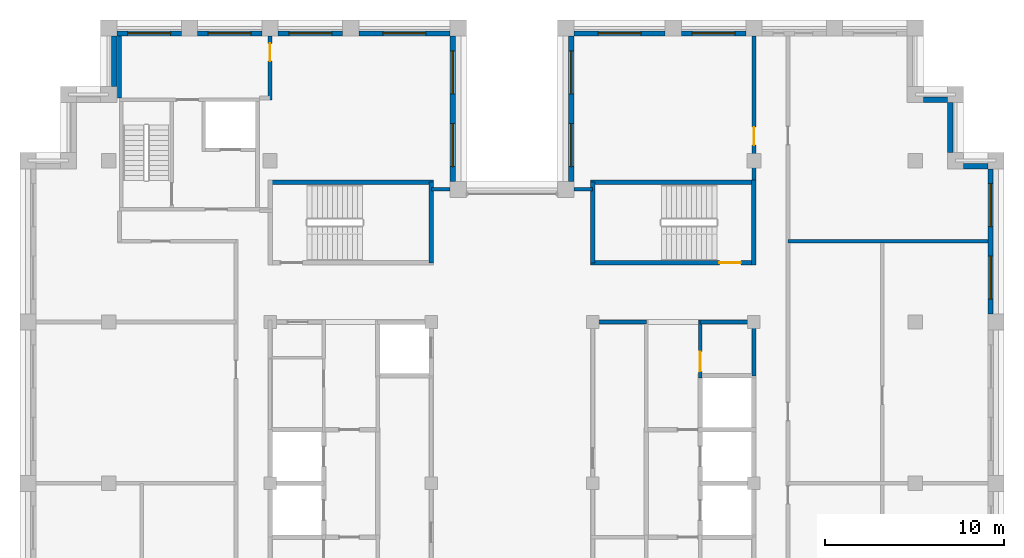
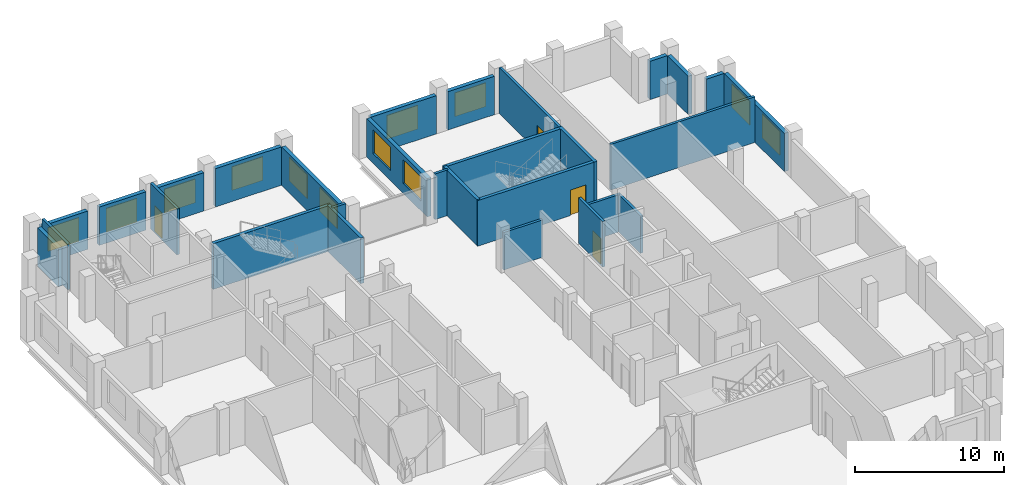
# One storey, part 10 of 13: 29 walls, 12 windows, 4 doors, 16 openings.
"""IFC4 building model written with IfcOpenShell, lengths in metres."""

import ifcopenshell
import ifcopenshell.guid

model = None  # the IFC model being written
_history = None  # IfcOwnerHistory: only IFC2X3 demands one
_inside = {}  # id of a spatial element -> (the spatial element, [elements in it])
_under = {}  # id of a project, library or spatial element -> (it, [spatial elements below it])
_declared = {}  # id of a project -> (the project, [libraries it declares])
_typed = {}  # id of a type object -> (the type object, [elements of that type])
_made_of = {}  # id of a material, layer set ... -> (it, [elements and type objects made of it])


def new_model(schema):
    """Start an empty IFC model of exactly this schema.

    Asked for "IFC4X3", IfcOpenShell would pick the latest addendum, in which some entities
    have other attributes; the version numbers below select the first issue.
    IFC2X3 requires an IfcOwnerHistory on every rooted entity: one is made here for all.
    """
    global model, _history
    if schema == "IFC4X3":
        model = ifcopenshell.file(schema_version=(4, 3, 0, 0))
    else:
        model = ifcopenshell.file(schema=schema)
    _inside.clear()
    _under.clear()
    _declared.clear()
    _typed.clear()
    _made_of.clear()
    _history = None
    if model.schema == "IFC2X3":
        org = make("IfcOrganization", Name="unknown")
        user = make(
            "IfcPersonAndOrganization",
            ThePerson=make("IfcPerson", FamilyName="unknown"),
            TheOrganization=org,
        )
        app = make(
            "IfcApplication",
            ApplicationDeveloper=org,
            Version="unknown",
            ApplicationFullName="unknown",
            ApplicationIdentifier="unknown",
        )
        _history = make(
            "IfcOwnerHistory",
            OwningUser=user,
            OwningApplication=app,
            ChangeAction="ADDED",
            CreationDate=0,
        )
    return model


def make(cls, **values):
    """One entity of the class cls with the attributes given. An attribute that is None is left unset."""
    return model.create_entity(
        cls, **{name: value for name, value in values.items() if value is not None}
    )


def rooted(cls, **values):
    """An entity with a GlobalId (a new one), such as an element, a storey or a relation."""
    return make(cls, GlobalId=ifcopenshell.guid.new(), OwnerHistory=_history, **values)


def si_unit(unit_type, name, prefix=None):
    """IfcSIUnit, for example si_unit("LENGTHUNIT", "METRE", prefix="MILLI")."""
    return make("IfcSIUnit", UnitType=unit_type, Prefix=prefix, Name=name)


def assignment(units):
    """IfcUnitAssignment: the units of a project."""
    return None if units is None else make("IfcUnitAssignment", Units=units)


def point(xyz):
    """IfcCartesianPoint."""
    return None if xyz is None else make("IfcCartesianPoint", Coordinates=xyz)


def direction(xyz):
    """IfcDirection."""
    return None if xyz is None else make("IfcDirection", DirectionRatios=xyz)


def frame(location, z_axis=None, x_axis=None):
    """IfcAxis2Placement3D, a coordinate frame: its origin and axes. An axis left out is left unset."""
    return make(
        "IfcAxis2Placement3D",
        Location=point(location),
        Axis=direction(z_axis),
        RefDirection=direction(x_axis),
    )


def frame_2d(location, x_axis=None):
    """IfcAxis2Placement2D, a coordinate frame in the plane: its origin and x axis."""
    return make(
        "IfcAxis2Placement2D", Location=point(location), RefDirection=direction(x_axis)
    )


def origin():
    """The frame at (0, 0, 0) with its axes left unset."""
    return frame((0.0, 0.0, 0.0))


def place(relative_to, where):
    """IfcLocalPlacement: puts the frame where relative to a parent placement (None: the world)."""
    return make(
        "IfcLocalPlacement", PlacementRelTo=relative_to, RelativePlacement=where
    )


def context(
    kind, dimensions, precision=None, world=None, true_north=None, identifier=None
):
    """IfcGeometricRepresentationContext, for example the 3D "Model" context."""
    return make(
        "IfcGeometricRepresentationContext",
        ContextIdentifier=identifier,
        ContextType=kind,
        CoordinateSpaceDimension=dimensions,
        Precision=precision,
        WorldCoordinateSystem=world,
        TrueNorth=true_north,
    )


def subcontext(parent, identifier, kind, view, scale=None):
    """IfcGeometricRepresentationSubContext, for example "Body" below "Model"."""
    return make(
        "IfcGeometricRepresentationSubContext",
        ContextIdentifier=identifier,
        ContextType=kind,
        ParentContext=parent,
        TargetScale=scale,
        TargetView=view,
    )


def project(units=None, contexts=None):
    """IfcProject with its units and contexts."""
    return rooted(
        "IfcProject",
        Name="project",
        RepresentationContexts=contexts,
        UnitsInContext=assignment(units),
    )


def spatial(cls, under=None, at=None, **own):
    """A site, building, storey or space (cls), placed at a placement, below another one or the project."""
    s = rooted(cls, ObjectPlacement=at, **own)
    if under is not None:
        _under.setdefault(under.id(), (under, []))[1].append(s)
    return s


def profile(cls, at=None, kind="AREA", **sizes):
    """A parametric profile (cls). Its sizes go by their IFC names, for example OverallWidth=200.0."""
    return make(cls, ProfileType=kind, Position=at, **sizes)


def rectangle(**sizes):
    """IfcRectangleProfileDef."""
    return profile("IfcRectangleProfileDef", **sizes)


def extrude(swept, where, along, depth):
    """IfcExtrudedAreaSolid: the profile swept, set in the frame where, extruded along a direction by depth."""
    return make(
        "IfcExtrudedAreaSolid",
        SweptArea=swept,
        Position=where,
        ExtrudedDirection=direction(along),
        Depth=depth,
    )


def shape(context_of_items, identifier, shape_type, items):
    """IfcShapeRepresentation: the items that make up one representation, for example the "Body"."""
    return make(
        "IfcShapeRepresentation",
        ContextOfItems=context_of_items,
        RepresentationIdentifier=identifier,
        RepresentationType=shape_type,
        Items=items,
    )


def material(Name=None, Category=None):
    """IfcMaterial."""
    return make("IfcMaterial", Name=Name, Category=Category)


def layer(
    of_material, thickness, ventilated=None, Name=None, Category=None, Priority=None
):
    """IfcMaterialLayer: one layer of a wall or slab, of a material (None: an air gap)."""
    return make(
        "IfcMaterialLayer",
        Material=of_material,
        LayerThickness=thickness,
        IsVentilated=ventilated,
        Name=Name,
        Category=Category,
        Priority=Priority,
    )


def layer_set(layers, Name=None):
    """IfcMaterialLayerSet."""
    return make("IfcMaterialLayerSet", MaterialLayers=layers, LayerSetName=Name)


def made_of(thing, what):
    """Note that an element or type object is made of a material, layer set ...; save() writes the relation."""
    if what is not None:
        _made_of.setdefault(what.id(), (what, []))[1].append(thing)
    return thing


def type_object(cls, material=None, **own):
    """A type object (cls), such as IfcWallType, which elements share."""
    return made_of(rooted(cls, **own), material)


def element(
    cls,
    number,
    at=None,
    inside=None,
    cuts=None,
    type_object=None,
    material=None,
    context=None,
    identifier="Body",
    shape_type=None,
    held_by="IfcProductDefinitionShape",
    body=None,
    shapes=None,
    **own,
):
    """One element of the class cls, such as IfcWall. Its Tag is "e" and its number.

    at: its placement. inside: the storey or other place that contains it. cuts: it is an
    opening in that element (IfcRelVoidsElement). A single representation is given by context,
    identifier, shape_type and body (its items); several are given by shapes. held_by: the class
    of the entity that holds the representations. save() writes the other relations.
    """
    e = rooted(cls, Tag="e%d" % number, ObjectPlacement=at, **own)
    if body is not None:
        shapes = [shape(context, identifier, shape_type, body)]
    if shapes is not None:
        e.Representation = make(held_by, Representations=shapes)
    if inside is not None:
        _inside.setdefault(inside.id(), (inside, []))[1].append(e)
    if cuts is not None:
        rooted(
            "IfcRelVoidsElement", RelatingBuildingElement=cuts, RelatedOpeningElement=e
        )
    if type_object is not None:
        _typed.setdefault(type_object.id(), (type_object, []))[1].append(e)
    return made_of(e, material)


def fill(opening, filler):
    """IfcRelFillsElement: the door or window that sits in an opening."""
    return rooted(
        "IfcRelFillsElement",
        RelatingOpeningElement=opening,
        RelatedBuildingElement=filler,
    )


def aggregate(whole, parts):
    """IfcRelAggregates: a whole, such as a stair, and the parts it consists of."""
    return rooted("IfcRelAggregates", RelatingObject=whole, RelatedObjects=parts)


def save(model, path):
    """Write the relations noted so far, then the file.

    IfcRelAggregates (storeys below a building ...), IfcRelContainedInSpatialStructure (elements
    in a storey), IfcRelDefinesByType, IfcRelAssociatesMaterial and IfcRelDeclares: one each for
    every whole, place, type object, material and project.
    """
    for whole, parts in _under.values():
        aggregate(whole, parts)
    for where, things in _inside.values():
        rooted(
            "IfcRelContainedInSpatialStructure",
            RelatedElements=things,
            RelatingStructure=where,
        )
    for kind, things in _typed.values():
        rooted("IfcRelDefinesByType", RelatedObjects=things, RelatingType=kind)
    for what, things in _made_of.values():
        rooted("IfcRelAssociatesMaterial", RelatedObjects=things, RelatingMaterial=what)
    for by, libraries in _declared.values():
        rooted("IfcRelDeclares", RelatingContext=by, RelatedDefinitions=libraries)
    model.write(path)


model = new_model("IFC4")

# Units and contexts
model_context = context("Model", 3, precision=1e-05, world=origin(), true_north=direction((0.0, 1.0)))
body_context = subcontext(model_context, "Body", "Model", "MODEL_VIEW")
ifc_project = project(units=[si_unit("LENGTHUNIT", "METRE"), si_unit("AREAUNIT", "SQUARE_METRE"), si_unit("VOLUMEUNIT", "CUBIC_METRE"), si_unit("PLANEANGLEUNIT", "RADIAN"), si_unit("MASSUNIT", "GRAM", prefix="KILO")], contexts=[model_context])

# Site, building, storey
site_placement = place(None, origin())
site = spatial("IfcSite", under=ifc_project, at=site_placement, CompositionType="ELEMENT")
building_placement = place(site_placement, origin())
building = spatial("IfcBuilding", under=site, at=building_placement, Name="Corbelhall Arena Tower", CompositionType="ELEMENT")
storey_placement = place(building_placement, frame((0.0, 0.0, 330.0)))
storey = spatial("IfcBuildingStorey", under=building, at=storey_placement, Name="L72", CompositionType="ELEMENT", Elevation=330.0)

# Wall, openings, windows
ifc_material_1 = material(Name="Precast concrete C40/50 with granite facing", Category="masonry")
ifc_layer_1 = layer(ifc_material_1, 0.300048828125)
ifc_layer_set_1 = layer_set([ifc_layer_1], Name="EV-IW1 Infill panel 300")
wall_type_1 = type_object("IfcWallType", Name="EV-IW1 Infill panel 300", PredefinedType="SOLIDWALL", material=ifc_layer_set_1)
wall_1_placement = place(storey_placement, frame((26.699951171875, 9.449951171875, 0.0), z_axis=(0.0, 0.0, 1.0), x_axis=(0.0, 1.0, 0.0)))
wall_1 = element("IfcWall", 1, at=wall_1_placement, inside=storey, type_object=wall_type_1, Name="Infill panel IW1", PredefinedType="SOLIDWALL", context=body_context, shape_type="SweptSolid", body=[
    extrude(rectangle(XDim=8.10009765625, YDim=0.300048828125, at=frame_2d((4.050048828125, 0.0))), origin(), (0.0, 0.0, 1.0), 3.139892578125),
])
opening_1_placement = place(wall_1_placement, frame((0.824951171875, 0.0, 0.800048828125)))
opening_1 = element("IfcOpeningElement", 2, at=opening_1_placement, cuts=wall_1, Name="Opening WN1", PredefinedType="OPENING", context=body_context, shape_type="SweptSolid", body=[
    extrude(rectangle(XDim=2.39990234375, YDim=1.949951171875, at=frame_2d((1.199951171875, 0.97509765625))), frame((0.0, 0.14990234375, 0.0), z_axis=(0.0, -1.0, 0.0), x_axis=(1.0, 0.0, 0.0)), (0.0, 0.0, 1.0), 0.300048828125),
])
opening_2_placement = place(wall_1_placement, frame((4.875, 0.0, 0.800048828125)))
opening_2 = element("IfcOpeningElement", 3, at=opening_2_placement, cuts=wall_1, Name="Opening WN1", PredefinedType="OPENING", context=body_context, shape_type="SweptSolid", body=[
    extrude(rectangle(XDim=2.39990234375, YDim=1.949951171875, at=frame_2d((1.199951171875, 0.97509765625))), frame((0.0, 0.14990234375, 0.0), z_axis=(0.0, -1.0, 0.0), x_axis=(1.0, 0.0, 0.0)), (0.0, 0.0, 1.0), 0.300048828125),
])
ifc_material_2 = material(Name="Aluminium black anodised", Category="aluminium")
window_type = type_object("IfcWindowType", Name="EV-WN1 Office window", PartitioningType="SINGLE_PANEL", PredefinedType="WINDOW", material=ifc_material_2)
window_1_placement = place(opening_1_placement, origin())
window_1 = element("IfcWindow", 4, at=window_1_placement, inside=storey, type_object=window_type, Name="Window WN1", OverallHeight=1.949951171875, OverallWidth=2.39990234375, PartitioningType="SINGLE_PANEL", PredefinedType="WINDOW", context=body_context, shape_type="SweptSolid", body=[
    extrude(rectangle(XDim=2.39990234375, YDim=1.949951171875, at=frame_2d((1.199951171875, 0.97509765625))), frame((0.0, 0.030029296875, 0.0), z_axis=(0.0, -1.0, 0.0), x_axis=(1.0, 0.0, 0.0)), (0.0, 0.0, 1.0), 0.06005859375),
])
fill(opening_1, window_1)
window_2_placement = place(opening_2_placement, origin())
window_2 = element("IfcWindow", 5, at=window_2_placement, inside=storey, type_object=window_type, Name="Window WN1", OverallHeight=1.949951171875, OverallWidth=2.39990234375, PartitioningType="SINGLE_PANEL", PredefinedType="WINDOW", context=body_context, shape_type="SweptSolid", body=[
    extrude(rectangle(XDim=2.39990234375, YDim=1.949951171875, at=frame_2d((1.199951171875, 0.97509765625))), frame((0.0, 0.030029296875, 0.0), z_axis=(0.0, -1.0, 0.0), x_axis=(1.0, 0.0, 0.0)), (0.0, 0.0, 1.0), 0.06005859375),
])
fill(opening_2, window_2)

# Walls
wall_2_placement = place(storey_placement, frame((26.550048828125, 17.699951171875, 0.0), z_axis=(0.0, 0.0, 1.0), x_axis=(-1.0, 0.0, 0.0)))
element("IfcWall", 6, at=wall_2_placement, inside=storey, type_object=wall_type_1, Name="Infill panel IW1", PredefinedType="SOLIDWALL", context=body_context, shape_type="SweptSolid", body=[
    extrude(rectangle(XDim=1.35009765625, YDim=0.300048828125, at=frame_2d((0.675048828125, 0.0))), origin(), (0.0, 0.0, 1.0), 3.139892578125),
])
wall_3_placement = place(storey_placement, frame((24.449951171875, 18.449951171875, 0.0), z_axis=(0.0, 0.0, 1.0), x_axis=(0.0, 1.0, 0.0)))
element("IfcWall", 7, at=wall_3_placement, inside=storey, type_object=wall_type_1, Name="Infill panel IW1", PredefinedType="SOLIDWALL", context=body_context, shape_type="SweptSolid", body=[
    extrude(rectangle(XDim=2.800048828125, YDim=0.300048828125, at=frame_2d((1.39990234375, 0.0))), origin(), (0.0, 0.0, 1.0), 3.139892578125),
])
wall_4_placement = place(storey_placement, frame((24.300048828125, 21.39990234375, 0.0), z_axis=(0.0, 0.0, 1.0), x_axis=(-1.0, 0.0, 0.0)))
element("IfcWall", 8, at=wall_4_placement, inside=storey, type_object=wall_type_1, Name="Infill panel IW1", PredefinedType="SOLIDWALL", context=body_context, shape_type="SweptSolid", body=[
    extrude(rectangle(XDim=1.35009765625, YDim=0.300048828125, at=frame_2d((0.675048828125, 0.0))), origin(), (0.0, 0.0, 1.0), 3.139892578125),
])

# Wall, opening, window
wall_5_placement = place(storey_placement, frame((13.050048828125, 25.10009765625, 0.0), z_axis=(0.0, 0.0, 1.0), x_axis=(-1.0, 0.0, 0.0)))
wall_5 = element("IfcWall", 9, at=wall_5_placement, inside=storey, type_object=wall_type_1, Name="Infill panel IW1", PredefinedType="SOLIDWALL", context=body_context, shape_type="SweptSolid", body=[
    extrude(rectangle(XDim=3.60009765625, YDim=0.300048828125, at=frame_2d((1.800048828125, 0.0))), origin(), (0.0, 0.0, 1.0), 3.139892578125),
])
opening_3_placement = place(wall_5_placement, frame((0.60009765625, 0.0, 0.800048828125)))
opening_3 = element("IfcOpeningElement", 10, at=opening_3_placement, cuts=wall_5, Name="Opening WN1", PredefinedType="OPENING", context=body_context, shape_type="SweptSolid", body=[
    extrude(rectangle(XDim=2.39990234375, YDim=1.949951171875, at=frame_2d((1.199951171875, 0.97509765625))), frame((0.0, 0.14990234375, 0.0), z_axis=(0.0, -1.0, 0.0), x_axis=(1.0, 0.0, 0.0)), (0.0, 0.0, 1.0), 0.300048828125),
])
window_3_placement = place(opening_3_placement, origin())
window_3 = element("IfcWindow", 11, at=window_3_placement, inside=storey, type_object=window_type, Name="Window WN1", OverallHeight=1.949951171875, OverallWidth=2.39990234375, PartitioningType="SINGLE_PANEL", PredefinedType="WINDOW", context=body_context, shape_type="SweptSolid", body=[
    extrude(rectangle(XDim=2.39990234375, YDim=1.949951171875, at=frame_2d((1.199951171875, 0.97509765625))), frame((0.0, 0.030029296875, 0.0), z_axis=(0.0, -1.0, 0.0), x_axis=(1.0, 0.0, 0.0)), (0.0, 0.0, 1.0), 0.06005859375),
])
fill(opening_3, window_3)

wall_6_placement = place(storey_placement, frame((8.550048828125, 25.10009765625, 0.0), z_axis=(0.0, 0.0, 1.0), x_axis=(-1.0, 0.0, 0.0)))
wall_6 = element("IfcWall", 12, at=wall_6_placement, inside=storey, type_object=wall_type_1, Name="Infill panel IW1", PredefinedType="SOLIDWALL", context=body_context, shape_type="SweptSolid", body=[
    extrude(rectangle(XDim=5.10009765625, YDim=0.300048828125, at=frame_2d((2.550048828125, 0.0))), origin(), (0.0, 0.0, 1.0), 3.139892578125),
])
opening_4_placement = place(wall_6_placement, frame((1.35009765625, 0.0, 0.800048828125)))
opening_4 = element("IfcOpeningElement", 13, at=opening_4_placement, cuts=wall_6, Name="Opening WN1", PredefinedType="OPENING", context=body_context, shape_type="SweptSolid", body=[
    extrude(rectangle(XDim=2.39990234375, YDim=1.949951171875, at=frame_2d((1.199951171875, 0.97509765625))), frame((0.0, 0.14990234375, 0.0), z_axis=(0.0, -1.0, 0.0), x_axis=(1.0, 0.0, 0.0)), (0.0, 0.0, 1.0), 0.300048828125),
])
window_4_placement = place(opening_4_placement, origin())
window_4 = element("IfcWindow", 14, at=window_4_placement, inside=storey, type_object=window_type, Name="Window WN1", OverallHeight=1.949951171875, OverallWidth=2.39990234375, PartitioningType="SINGLE_PANEL", PredefinedType="WINDOW", context=body_context, shape_type="SweptSolid", body=[
    extrude(rectangle(XDim=2.39990234375, YDim=1.949951171875, at=frame_2d((1.199951171875, 0.97509765625))), frame((0.0, 0.030029296875, 0.0), z_axis=(0.0, -1.0, 0.0), x_axis=(1.0, 0.0, 0.0)), (0.0, 0.0, 1.0), 0.06005859375),
])
fill(opening_4, window_4)

# Wall, openings, windows
wall_7_placement = place(storey_placement, frame((3.300048828125, 24.949951171875, 0.0), z_axis=(0.0, 0.0, 1.0), x_axis=(0.0, -1.0, 0.0)))
wall_7 = element("IfcWall", 15, at=wall_7_placement, inside=storey, type_object=wall_type_1, Name="Infill panel IW1", PredefinedType="SOLIDWALL", context=body_context, shape_type="SweptSolid", body=[
    extrude(rectangle(XDim=8.099853515625, YDim=0.300048828125, at=frame_2d((4.0498046875, 0.0))), origin(), (0.0, 0.0, 1.0), 3.139892578125),
])
opening_5_placement = place(wall_7_placement, frame((0.824951171875, 0.0, 0.800048828125)))
opening_5 = element("IfcOpeningElement", 16, at=opening_5_placement, cuts=wall_7, Name="Opening WN1", PredefinedType="OPENING", context=body_context, shape_type="SweptSolid", body=[
    extrude(rectangle(XDim=2.39990234375, YDim=1.949951171875, at=frame_2d((1.199951171875, 0.97509765625))), frame((0.0, 0.14990234375, 0.0), z_axis=(0.0, -1.0, 0.0), x_axis=(1.0, 0.0, 0.0)), (0.0, 0.0, 1.0), 0.300048828125),
])
opening_6_placement = place(wall_7_placement, frame((4.875, 0.0, 0.800048828125)))
opening_6 = element("IfcOpeningElement", 17, at=opening_6_placement, cuts=wall_7, Name="Opening WN1", PredefinedType="OPENING", context=body_context, shape_type="SweptSolid", body=[
    extrude(rectangle(XDim=2.39990234375, YDim=1.949951171875, at=frame_2d((1.199951171875, 0.97509765625))), frame((0.0, 0.14990234375, 0.0), z_axis=(0.0, -1.0, 0.0), x_axis=(1.0, 0.0, 0.0)), (0.0, 0.0, 1.0), 0.300048828125),
])
window_5_placement = place(opening_5_placement, origin())
window_5 = element("IfcWindow", 18, at=window_5_placement, inside=storey, type_object=window_type, Name="Window WN1", OverallHeight=1.949951171875, OverallWidth=2.39990234375, PartitioningType="SINGLE_PANEL", PredefinedType="WINDOW", context=body_context, shape_type="SweptSolid", body=[
    extrude(rectangle(XDim=2.39990234375, YDim=1.949951171875, at=frame_2d((1.199951171875, 0.97509765625))), frame((0.0, 0.030029296875, 0.0), z_axis=(0.0, -1.0, 0.0), x_axis=(1.0, 0.0, 0.0)), (0.0, 0.0, 1.0), 0.06005859375),
])
fill(opening_5, window_5)
window_6_placement = place(opening_6_placement, origin())
window_6 = element("IfcWindow", 19, at=window_6_placement, inside=storey, type_object=window_type, Name="Window WN1", OverallHeight=1.949951171875, OverallWidth=2.39990234375, PartitioningType="SINGLE_PANEL", PredefinedType="WINDOW", context=body_context, shape_type="SweptSolid", body=[
    extrude(rectangle(XDim=2.39990234375, YDim=1.949951171875, at=frame_2d((1.199951171875, 0.97509765625))), frame((0.0, 0.030029296875, 0.0), z_axis=(0.0, -1.0, 0.0), x_axis=(1.0, 0.0, 0.0)), (0.0, 0.0, 1.0), 0.06005859375),
])
fill(opening_6, window_6)

wall_8_placement = place(storey_placement, frame((-3.300048828125, 16.85009765625, 0.0), z_axis=(0.0, 0.0, 1.0), x_axis=(0.0, 1.0, 0.0)))
wall_8 = element("IfcWall", 20, at=wall_8_placement, inside=storey, type_object=wall_type_1, Name="Infill panel IW1", PredefinedType="SOLIDWALL", context=body_context, shape_type="SweptSolid", body=[
    extrude(rectangle(XDim=8.099853515625, YDim=0.300048828125, at=frame_2d((4.0498046875, 0.0))), origin(), (0.0, 0.0, 1.0), 3.139892578125),
])
opening_7_placement = place(wall_8_placement, frame((0.824951171875, 0.0, 0.800048828125)))
opening_7 = element("IfcOpeningElement", 21, at=opening_7_placement, cuts=wall_8, Name="Opening WN1", PredefinedType="OPENING", context=body_context, shape_type="SweptSolid", body=[
    extrude(rectangle(XDim=2.39990234375, YDim=1.949951171875, at=frame_2d((1.199951171875, 0.97509765625))), frame((0.0, 0.14990234375, 0.0), z_axis=(0.0, -1.0, 0.0), x_axis=(1.0, 0.0, 0.0)), (0.0, 0.0, 1.0), 0.300048828125),
])
opening_8_placement = place(wall_8_placement, frame((4.875, 0.0, 0.800048828125)))
opening_8 = element("IfcOpeningElement", 22, at=opening_8_placement, cuts=wall_8, Name="Opening WN1", PredefinedType="OPENING", context=body_context, shape_type="SweptSolid", body=[
    extrude(rectangle(XDim=2.39990234375, YDim=1.949951171875, at=frame_2d((1.199951171875, 0.97509765625))), frame((0.0, 0.14990234375, 0.0), z_axis=(0.0, -1.0, 0.0), x_axis=(1.0, 0.0, 0.0)), (0.0, 0.0, 1.0), 0.300048828125),
])
window_7_placement = place(opening_7_placement, origin())
window_7 = element("IfcWindow", 23, at=window_7_placement, inside=storey, type_object=window_type, Name="Window WN1", OverallHeight=1.949951171875, OverallWidth=2.39990234375, PartitioningType="SINGLE_PANEL", PredefinedType="WINDOW", context=body_context, shape_type="SweptSolid", body=[
    extrude(rectangle(XDim=2.39990234375, YDim=1.949951171875, at=frame_2d((1.199951171875, 0.97509765625))), frame((0.0, 0.030029296875, 0.0), z_axis=(0.0, -1.0, 0.0), x_axis=(1.0, 0.0, 0.0)), (0.0, 0.0, 1.0), 0.06005859375),
])
fill(opening_7, window_7)
window_8_placement = place(opening_8_placement, origin())
window_8 = element("IfcWindow", 24, at=window_8_placement, inside=storey, type_object=window_type, Name="Window WN1", OverallHeight=1.949951171875, OverallWidth=2.39990234375, PartitioningType="SINGLE_PANEL", PredefinedType="WINDOW", context=body_context, shape_type="SweptSolid", body=[
    extrude(rectangle(XDim=2.39990234375, YDim=1.949951171875, at=frame_2d((1.199951171875, 0.97509765625))), frame((0.0, 0.030029296875, 0.0), z_axis=(0.0, -1.0, 0.0), x_axis=(1.0, 0.0, 0.0)), (0.0, 0.0, 1.0), 0.06005859375),
])
fill(opening_8, window_8)

# Wall, opening, window
wall_9_placement = place(storey_placement, frame((-3.449951171875, 25.10009765625, 0.0), z_axis=(0.0, 0.0, 1.0), x_axis=(-1.0, 0.0, 0.0)))
wall_9 = element("IfcWall", 25, at=wall_9_placement, inside=storey, type_object=wall_type_1, Name="Infill panel IW1", PredefinedType="SOLIDWALL", context=body_context, shape_type="SweptSolid", body=[
    extrude(rectangle(XDim=5.10009765625, YDim=0.300048828125, at=frame_2d((2.550048828125, 0.0))), origin(), (0.0, 0.0, 1.0), 3.139892578125),
])
opening_9_placement = place(wall_9_placement, frame((1.35009765625, 0.0, 0.800048828125)))
opening_9 = element("IfcOpeningElement", 26, at=opening_9_placement, cuts=wall_9, Name="Opening WN1", PredefinedType="OPENING", context=body_context, shape_type="SweptSolid", body=[
    extrude(rectangle(XDim=2.39990234375, YDim=1.949951171875, at=frame_2d((1.199951171875, 0.97509765625))), frame((0.0, 0.14990234375, 0.0), z_axis=(0.0, -1.0, 0.0), x_axis=(1.0, 0.0, 0.0)), (0.0, 0.0, 1.0), 0.300048828125),
])
window_9_placement = place(opening_9_placement, origin())
window_9 = element("IfcWindow", 27, at=window_9_placement, inside=storey, type_object=window_type, Name="Window WN1", OverallHeight=1.949951171875, OverallWidth=2.39990234375, PartitioningType="SINGLE_PANEL", PredefinedType="WINDOW", context=body_context, shape_type="SweptSolid", body=[
    extrude(rectangle(XDim=2.39990234375, YDim=1.949951171875, at=frame_2d((1.199951171875, 0.97509765625))), frame((0.0, 0.030029296875, 0.0), z_axis=(0.0, -1.0, 0.0), x_axis=(1.0, 0.0, 0.0)), (0.0, 0.0, 1.0), 0.06005859375),
])
fill(opening_9, window_9)

wall_10_placement = place(storey_placement, frame((-9.449951171875, 25.10009765625, 0.0), z_axis=(0.0, 0.0, 1.0), x_axis=(-1.0, 0.0, 0.0)))
wall_10 = element("IfcWall", 28, at=wall_10_placement, inside=storey, type_object=wall_type_1, Name="Infill panel IW1", PredefinedType="SOLIDWALL", context=body_context, shape_type="SweptSolid", body=[
    extrude(rectangle(XDim=3.60009765625, YDim=0.300048828125, at=frame_2d((1.800048828125, 0.0))), origin(), (0.0, 0.0, 1.0), 3.139892578125),
])
opening_10_placement = place(wall_10_placement, frame((0.60009765625, 0.0, 0.800048828125)))
opening_10 = element("IfcOpeningElement", 29, at=opening_10_placement, cuts=wall_10, Name="Opening WN1", PredefinedType="OPENING", context=body_context, shape_type="SweptSolid", body=[
    extrude(rectangle(XDim=2.39990234375, YDim=1.949951171875, at=frame_2d((1.199951171875, 0.97509765625))), frame((0.0, 0.14990234375, 0.0), z_axis=(0.0, -1.0, 0.0), x_axis=(1.0, 0.0, 0.0)), (0.0, 0.0, 1.0), 0.300048828125),
])
window_10_placement = place(opening_10_placement, origin())
window_10 = element("IfcWindow", 30, at=window_10_placement, inside=storey, type_object=window_type, Name="Window WN1", OverallHeight=1.949951171875, OverallWidth=2.39990234375, PartitioningType="SINGLE_PANEL", PredefinedType="WINDOW", context=body_context, shape_type="SweptSolid", body=[
    extrude(rectangle(XDim=2.39990234375, YDim=1.949951171875, at=frame_2d((1.199951171875, 0.97509765625))), frame((0.0, 0.030029296875, 0.0), z_axis=(0.0, -1.0, 0.0), x_axis=(1.0, 0.0, 0.0)), (0.0, 0.0, 1.0), 0.06005859375),
])
fill(opening_10, window_10)

wall_11_placement = place(storey_placement, frame((-13.949951171875, 25.10009765625, 0.0), z_axis=(0.0, 0.0, 1.0), x_axis=(-1.0, 0.0, 0.0)))
wall_11 = element("IfcWall", 31, at=wall_11_placement, inside=storey, type_object=wall_type_1, Name="Infill panel IW1", PredefinedType="SOLIDWALL", context=body_context, shape_type="SweptSolid", body=[
    extrude(rectangle(XDim=3.60009765625, YDim=0.300048828125, at=frame_2d((1.800048828125, 0.0))), origin(), (0.0, 0.0, 1.0), 3.139892578125),
])
opening_11_placement = place(wall_11_placement, frame((0.60009765625, 0.0, 0.800048828125)))
opening_11 = element("IfcOpeningElement", 32, at=opening_11_placement, cuts=wall_11, Name="Opening WN1", PredefinedType="OPENING", context=body_context, shape_type="SweptSolid", body=[
    extrude(rectangle(XDim=2.39990234375, YDim=1.949951171875, at=frame_2d((1.199951171875, 0.97509765625))), frame((0.0, 0.14990234375, 0.0), z_axis=(0.0, -1.0, 0.0), x_axis=(1.0, 0.0, 0.0)), (0.0, 0.0, 1.0), 0.300048828125),
])
window_11_placement = place(opening_11_placement, origin())
window_11 = element("IfcWindow", 33, at=window_11_placement, inside=storey, type_object=window_type, Name="Window WN1", OverallHeight=1.949951171875, OverallWidth=2.39990234375, PartitioningType="SINGLE_PANEL", PredefinedType="WINDOW", context=body_context, shape_type="SweptSolid", body=[
    extrude(rectangle(XDim=2.39990234375, YDim=1.949951171875, at=frame_2d((1.199951171875, 0.97509765625))), frame((0.0, 0.030029296875, 0.0), z_axis=(0.0, -1.0, 0.0), x_axis=(1.0, 0.0, 0.0)), (0.0, 0.0, 1.0), 0.06005859375),
])
fill(opening_11, window_11)

wall_12_placement = place(storey_placement, frame((-18.449951171875, 25.10009765625, 0.0), z_axis=(0.0, 0.0, 1.0), x_axis=(-1.0, 0.0, 0.0)))
wall_12 = element("IfcWall", 34, at=wall_12_placement, inside=storey, type_object=wall_type_1, Name="Infill panel IW1", PredefinedType="SOLIDWALL", context=body_context, shape_type="SweptSolid", body=[
    extrude(rectangle(XDim=3.60009765625, YDim=0.300048828125, at=frame_2d((1.800048828125, 0.0))), origin(), (0.0, 0.0, 1.0), 3.139892578125),
])
opening_12_placement = place(wall_12_placement, frame((0.60009765625, 0.0, 0.800048828125)))
opening_12 = element("IfcOpeningElement", 35, at=opening_12_placement, cuts=wall_12, Name="Opening WN1", PredefinedType="OPENING", context=body_context, shape_type="SweptSolid", body=[
    extrude(rectangle(XDim=2.39990234375, YDim=1.949951171875, at=frame_2d((1.199951171875, 0.97509765625))), frame((0.0, 0.14990234375, 0.0), z_axis=(0.0, -1.0, 0.0), x_axis=(1.0, 0.0, 0.0)), (0.0, 0.0, 1.0), 0.300048828125),
])
window_12_placement = place(opening_12_placement, origin())
window_12 = element("IfcWindow", 36, at=window_12_placement, inside=storey, type_object=window_type, Name="Window WN1", OverallHeight=1.949951171875, OverallWidth=2.39990234375, PartitioningType="SINGLE_PANEL", PredefinedType="WINDOW", context=body_context, shape_type="SweptSolid", body=[
    extrude(rectangle(XDim=2.39990234375, YDim=1.949951171875, at=frame_2d((1.199951171875, 0.97509765625))), frame((0.0, 0.030029296875, 0.0), z_axis=(0.0, -1.0, 0.0), x_axis=(1.0, 0.0, 0.0)), (0.0, 0.0, 1.0), 0.06005859375),
])
fill(opening_12, window_12)

# Walls
wall_13_placement = place(storey_placement, frame((-22.199951171875, 24.949951171875, 0.0), z_axis=(0.0, 0.0, 1.0), x_axis=(0.0, -1.0, 0.0)))
element("IfcWall", 37, at=wall_13_placement, inside=storey, type_object=wall_type_1, Name="Infill panel IW1", PredefinedType="SOLIDWALL", context=body_context, shape_type="SweptSolid", body=[
    extrude(rectangle(XDim=2.800048828125, YDim=0.300048828125, at=frame_2d((1.39990234375, 0.0))), origin(), (0.0, 0.0, 1.0), 3.139892578125),
])
ifc_material_3 = material(Name="Gypsum board on steel stud, acoustic", Category="steel")
ifc_layer_2 = layer(ifc_material_3, 0.199951171875)
ifc_layer_set_2 = layer_set([ifc_layer_2], Name="IN-W-DM200")
wall_type_2 = type_object("IfcWallType", Name="IN-W-DM200", PredefinedType="PARTITIONING", material=ifc_layer_set_2)
wall_14_placement = place(storey_placement, frame((-21.89990234375, 21.5, 0.0), z_axis=(0.0, 0.0, 1.0), x_axis=(0.0, 1.0, 0.0)))
element("IfcWall", 38, at=wall_14_placement, inside=storey, type_object=wall_type_2, Name="Partition 005", PredefinedType="PARTITIONING", context=body_context, shape_type="SweptSolid", body=[
    extrude(rectangle(XDim=3.449951171875, YDim=0.199951171875, at=frame_2d((1.72509765625, 0.0))), origin(), (0.0, 0.0, 1.0), 3.739990234375),
])

# Wall, opening, door
wall_15_placement = place(storey_placement, frame((-13.5, 24.949951171875, 0.0), z_axis=(0.0, 0.0, 1.0), x_axis=(0.0, -1.0, 0.0)))
wall_15 = element("IfcWall", 39, at=wall_15_placement, inside=storey, type_object=wall_type_2, Name="Partition 013", PredefinedType="PARTITIONING", context=body_context, shape_type="SweptSolid", body=[
    extrude(rectangle(XDim=3.550048828125, YDim=0.199951171875, at=frame_2d((1.77490234375, 0.0))), origin(), (0.0, 0.0, 1.0), 3.739990234375),
])
opening_13_placement = place(wall_15_placement, frame((0.39990234375, 0.0, 0.0)))
opening_13 = element("IfcOpeningElement", 40, at=opening_13_placement, cuts=wall_15, Name="Opening 23019", PredefinedType="OPENING", context=body_context, shape_type="SweptSolid", body=[
    extrude(rectangle(XDim=1.0, YDim=2.10009765625, at=frame_2d((0.5, 1.050048828125))), frame((0.0, 0.10009765625, 0.0), z_axis=(0.0, -1.0, 0.0), x_axis=(1.0, 0.0, 0.0)), (0.0, 0.0, 1.0), 0.199951171875),
])
ifc_material_4 = material(Name="Steel door set", Category="steel")
door_type_1 = type_object("IfcDoorType", Name="IN-D-SW100", OperationType="NOTDEFINED", PredefinedType="DOOR", material=ifc_material_4)
door_1_placement = place(opening_13_placement, origin())
door_1 = element("IfcDoor", 41, at=door_1_placement, inside=storey, type_object=door_type_1, Name="Door 019", OperationType="SINGLE_SWING_RIGHT", OverallHeight=2.10009765625, OverallWidth=1.0, PredefinedType="DOOR", context=body_context, shape_type="SweptSolid", body=[
    extrude(rectangle(XDim=1.0, YDim=2.10009765625, at=frame_2d((0.5, 1.050048828125))), frame((0.0, 0.02490234375, 0.0), z_axis=(0.0, -1.0, 0.0), x_axis=(1.0, 0.0, 0.0)), (0.0, 0.0, 1.0), 0.050048828125),
])
fill(opening_13, door_1)

# Walls
for number, where, z_axis, x_axis, name in (
    (42, (-4.5, 16.39990234375, 0.0), (0.0, 0.0, 1.0), (1.0, 0.0, 0.0), "Partition 014"),
    (43, (3.449951171875, 16.39990234375, 0.0), (0.0, 0.0, 1.0), (1.0, 0.0, 0.0), "Partition 016"),
):
    element("IfcWall", number, at=place(storey_placement, frame(where, z_axis=z_axis, x_axis=x_axis)), inside=storey, type_object=wall_type_2, Name=name, PredefinedType="PARTITIONING", context=body_context, shape_type="SweptSolid", body=[
        extrude(rectangle(XDim=1.050048828125, YDim=0.199951171875, at=frame_2d((0.52490234375, 0.0))), origin(), (0.0, 0.0, 1.0), 3.739990234375),
    ])

# Wall, opening, door
wall_16_placement = place(storey_placement, frame((13.5, 16.675048828125, 0.0), z_axis=(0.0, 0.0, 1.0), x_axis=(0.0, 1.0, 0.0)))
wall_16 = element("IfcWall", 44, at=wall_16_placement, inside=storey, type_object=wall_type_2, Name="Partition 019", PredefinedType="PARTITIONING", context=body_context, shape_type="SweptSolid", body=[
    extrude(rectangle(XDim=8.27490234375, YDim=0.199951171875, at=frame_2d((4.137451171875, 0.0))), origin(), (0.0, 0.0, 1.0), 3.739990234375),
])
opening_14_placement = place(wall_16_placement, frame((2.199951171875, 0.0, 0.0)))
opening_14 = element("IfcOpeningElement", 45, at=opening_14_placement, cuts=wall_16, Name="Opening 23020", PredefinedType="OPENING", context=body_context, shape_type="SweptSolid", body=[
    extrude(rectangle(XDim=1.0, YDim=2.10009765625, at=frame_2d((0.5, 1.050048828125))), frame((0.0, 0.10009765625, 0.0), z_axis=(0.0, -1.0, 0.0), x_axis=(1.0, 0.0, 0.0)), (0.0, 0.0, 1.0), 0.199951171875),
])
door_2_placement = place(opening_14_placement, origin())
door_2 = element("IfcDoor", 46, at=door_2_placement, inside=storey, type_object=door_type_1, Name="Door 020", OperationType="SINGLE_SWING_LEFT", OverallHeight=2.10009765625, OverallWidth=1.0, PredefinedType="DOOR", context=body_context, shape_type="SweptSolid", body=[
    extrude(rectangle(XDim=1.0, YDim=2.10009765625, at=frame_2d((0.5, 1.050048828125))), frame((0.0, 0.02490234375, 0.0), z_axis=(0.0, -1.0, 0.0), x_axis=(1.0, 0.0, 0.0)), (0.0, 0.0, 1.0), 0.050048828125),
])
fill(opening_14, door_2)

# Wall
wall_17_placement = place(storey_placement, frame((15.39990234375, 13.5, 0.0), z_axis=(0.0, 0.0, 1.0), x_axis=(1.0, 0.0, 0.0)))
element("IfcWall", 47, at=wall_17_placement, inside=storey, type_object=wall_type_2, Name="Partition 023", PredefinedType="PARTITIONING", context=body_context, shape_type="SweptSolid", body=[
    extrude(rectangle(XDim=11.150146484375, YDim=0.199951171875, at=frame_2d((5.5751953125, 0.0))), origin(), (0.0, 0.0, 1.0), 3.739990234375),
])

# Wall, opening, door
ifc_material_5 = material(Name="Concrete block wall", Category="concrete")
ifc_layer_3 = layer(ifc_material_5, 0.199951171875)
ifc_layer_set_3 = layer_set([ifc_layer_3], Name="IN-W-RS200")
wall_type_3 = type_object("IfcWallType", Name="IN-W-RS200", PredefinedType="SOLIDWALL", material=ifc_layer_set_3)
wall_18_placement = place(storey_placement, frame((10.5, 9.10009765625, 0.0), z_axis=(0.0, 0.0, 1.0), x_axis=(0.0, -1.0, 0.0)))
wall_18 = element("IfcWall", 48, at=wall_18_placement, inside=storey, type_object=wall_type_3, Name="Partition 044", PredefinedType="SOLIDWALL", context=body_context, shape_type="SweptSolid", body=[
    extrude(rectangle(XDim=3.22509765625, YDim=0.199951171875, at=frame_2d((1.612548828125, 0.0))), origin(), (0.0, 0.0, 1.0), 3.739990234375),
])
opening_15_placement = place(wall_18_placement, frame((1.75, 0.0, 0.0)))
opening_15 = element("IfcOpeningElement", 49, at=opening_15_placement, cuts=wall_18, Name="Opening 23014", PredefinedType="OPENING", context=body_context, shape_type="SweptSolid", body=[
    extrude(rectangle(XDim=1.10009765625, YDim=2.10009765625, at=frame_2d((0.550048828125, 1.050048828125))), frame((0.0, 0.10009765625, 0.0), z_axis=(0.0, -1.0, 0.0), x_axis=(1.0, 0.0, 0.0)), (0.0, 0.0, 1.0), 0.199951171875),
])
door_type_2 = type_object("IfcDoorType", Name="IN-D-FD110", OperationType="NOTDEFINED", PredefinedType="DOOR", material=ifc_material_4)
door_3_placement = place(opening_15_placement, origin())
door_3 = element("IfcDoor", 50, at=door_3_placement, inside=storey, type_object=door_type_2, Name="Door 014", OperationType="SINGLE_SWING_LEFT", OverallHeight=2.10009765625, OverallWidth=1.10009765625, PredefinedType="DOOR", context=body_context, shape_type="SweptSolid", body=[
    extrude(rectangle(XDim=1.10009765625, YDim=2.10009765625, at=frame_2d((0.550048828125, 1.050048828125))), frame((0.0, 0.02490234375, 0.0), z_axis=(0.0, -1.0, 0.0), x_axis=(1.0, 0.0, 0.0)), (0.0, 0.0, 1.0), 0.050048828125),
])
fill(opening_15, door_3)

# Walls
ifc_layer_4 = layer(ifc_material_5, 0.199951171875)
ifc_layer_set_4 = layer_set([ifc_layer_4], Name="IN-W-RS200 under beam 678 mm")
wall_type_4 = type_object("IfcWallType", Name="IN-W-RS200 under beam 678 mm", PredefinedType="SOLIDWALL", material=ifc_layer_set_4)
for number, where, z_axis, x_axis, name in (
    (51, (4.5, 9.0, 0.0), (0.0, 0.0, 1.0), (1.0, 0.0, 0.0), "Partition 039"),
    (52, (10.5, 9.0, 0.0), (0.0, 0.0, 1.0), (1.0, 0.0, 0.0), "Partition 043"),
):
    element("IfcWall", number, at=place(storey_placement, frame(where, z_axis=z_axis, x_axis=x_axis)), inside=storey, type_object=wall_type_4, Name=name, PredefinedType="SOLIDWALL", context=body_context, shape_type="SweptSolid", body=[
        extrude(rectangle(XDim=3.0, YDim=0.199951171875, at=frame_2d((1.5, 0.0))), origin(), (0.0, 0.0, 1.0), 3.061767578125),
    ])
wall_19_placement = place(storey_placement, frame((13.5, 9.10009765625, 0.0), z_axis=(0.0, 0.0, 1.0), x_axis=(0.0, -1.0, 0.0)))
element("IfcWall", 53, at=wall_19_placement, inside=storey, type_object=wall_type_4, Name="Partition 046", PredefinedType="SOLIDWALL", context=body_context, shape_type="SweptSolid", body=[
    extrude(rectangle(XDim=3.10009765625, YDim=0.199951171875, at=frame_2d((1.550048828125, 0.0))), origin(), (0.0, 0.0, 1.0), 3.061767578125),
])
ifc_material_6 = material(Name="Concrete C40/50", Category="concrete")
ifc_layer_5 = layer(ifc_material_6, 0.25)
ifc_layer_set_5 = layer_set([ifc_layer_5], Name="IN-W-ST250")
wall_type_5 = type_object("IfcWallType", Name="IN-W-ST250", PredefinedType="SOLIDWALL", material=ifc_layer_set_5)
wall_20_placement = place(storey_placement, frame((-13.5, 16.800048828125, 0.0), z_axis=(0.0, 0.0, 1.0), x_axis=(1.0, 0.0, 0.0)))
element("IfcWall", 54, at=wall_20_placement, inside=storey, type_object=wall_type_5, Name="Shaft wall 071", PredefinedType="SOLIDWALL", context=body_context, shape_type="SweptSolid", body=[
    extrude(rectangle(XDim=9.125, YDim=0.25, at=frame_2d((4.5625, 0.0))), origin(), (0.0, 0.0, 1.0), 3.739990234375),
])
wall_21_placement = place(storey_placement, frame((-4.5, 16.800048828125, 0.0), z_axis=(0.0, 0.0, 1.0), x_axis=(0.0, -1.0, 0.0)))
element("IfcWall", 55, at=wall_21_placement, inside=storey, type_object=wall_type_5, Name="Shaft wall 074", PredefinedType="SOLIDWALL", context=body_context, shape_type="SweptSolid", body=[
    extrude(rectangle(XDim=4.5, YDim=0.25, at=frame_2d((2.25, 0.0))), origin(), (0.0, 0.0, 1.0), 3.739990234375),
])

# Wall, opening, door
wall_22_placement = place(storey_placement, frame((4.375, 12.300048828125, 0.0), z_axis=(0.0, 0.0, 1.0), x_axis=(1.0, 0.0, 0.0)))
wall_22 = element("IfcWall", 56, at=wall_22_placement, inside=storey, type_object=wall_type_5, Name="Shaft wall 076", PredefinedType="SOLIDWALL", context=body_context, shape_type="SweptSolid", body=[
    extrude(rectangle(XDim=9.125, YDim=0.25, at=frame_2d((4.5625, 0.0))), origin(), (0.0, 0.0, 1.0), 3.739990234375),
])
opening_16_placement = place(wall_22_placement, frame((7.199951171875, 0.0, 0.0)))
opening_16 = element("IfcOpeningElement", 57, at=opening_16_placement, cuts=wall_22, Name="Opening 23017", PredefinedType="OPENING", context=body_context, shape_type="SweptSolid", body=[
    extrude(rectangle(XDim=1.199951171875, YDim=2.10009765625, at=frame_2d((0.60009765625, 1.050048828125))), frame((0.0, 0.125, 0.0), z_axis=(0.0, -1.0, 0.0), x_axis=(1.0, 0.0, 0.0)), (0.0, 0.0, 1.0), 0.25),
])
door_type_3 = type_object("IfcDoorType", Name="IN-D-ST120", OperationType="NOTDEFINED", PredefinedType="DOOR", material=ifc_material_4)
door_4_placement = place(opening_16_placement, origin())
door_4 = element("IfcDoor", 58, at=door_4_placement, inside=storey, type_object=door_type_3, Name="Door 017", OperationType="SINGLE_SWING_RIGHT", OverallHeight=2.10009765625, OverallWidth=1.199951171875, PredefinedType="DOOR", context=body_context, shape_type="SweptSolid", body=[
    extrude(rectangle(XDim=1.199951171875, YDim=2.10009765625, at=frame_2d((0.60009765625, 1.050048828125))), frame((0.0, 0.02490234375, 0.0), z_axis=(0.0, -1.0, 0.0), x_axis=(1.0, 0.0, 0.0)), (0.0, 0.0, 1.0), 0.050048828125),
])
fill(opening_16, door_4)

# Walls
wall_23_placement = place(storey_placement, frame((4.375, 16.800048828125, 0.0), z_axis=(0.0, 0.0, 1.0), x_axis=(1.0, 0.0, 0.0)))
element("IfcWall", 59, at=wall_23_placement, inside=storey, type_object=wall_type_5, Name="Shaft wall 077", PredefinedType="SOLIDWALL", context=body_context, shape_type="SweptSolid", body=[
    extrude(rectangle(XDim=9.125, YDim=0.25, at=frame_2d((4.5625, 0.0))), origin(), (0.0, 0.0, 1.0), 3.739990234375),
])
wall_24_placement = place(storey_placement, frame((4.5, 12.300048828125, 0.0), z_axis=(0.0, 0.0, 1.0), x_axis=(0.0, 1.0, 0.0)))
element("IfcWall", 60, at=wall_24_placement, inside=storey, type_object=wall_type_5, Name="Shaft wall 079", PredefinedType="SOLIDWALL", context=body_context, shape_type="SweptSolid", body=[
    extrude(rectangle(XDim=4.5, YDim=0.25, at=frame_2d((2.25, 0.0))), origin(), (0.0, 0.0, 1.0), 3.739990234375),
])
wall_25_placement = place(storey_placement, frame((13.5, 12.175048828125, 0.0), z_axis=(0.0, 0.0, 1.0), x_axis=(0.0, 1.0, 0.0)))
element("IfcWall", 61, at=wall_25_placement, inside=storey, type_object=wall_type_5, Name="Shaft wall 083", PredefinedType="SOLIDWALL", context=body_context, shape_type="SweptSolid", body=[
    extrude(rectangle(XDim=4.75, YDim=0.25, at=frame_2d((2.375, 0.0))), origin(), (0.0, 0.0, 1.0), 3.739990234375),
])

save(model, "model.ifc")
